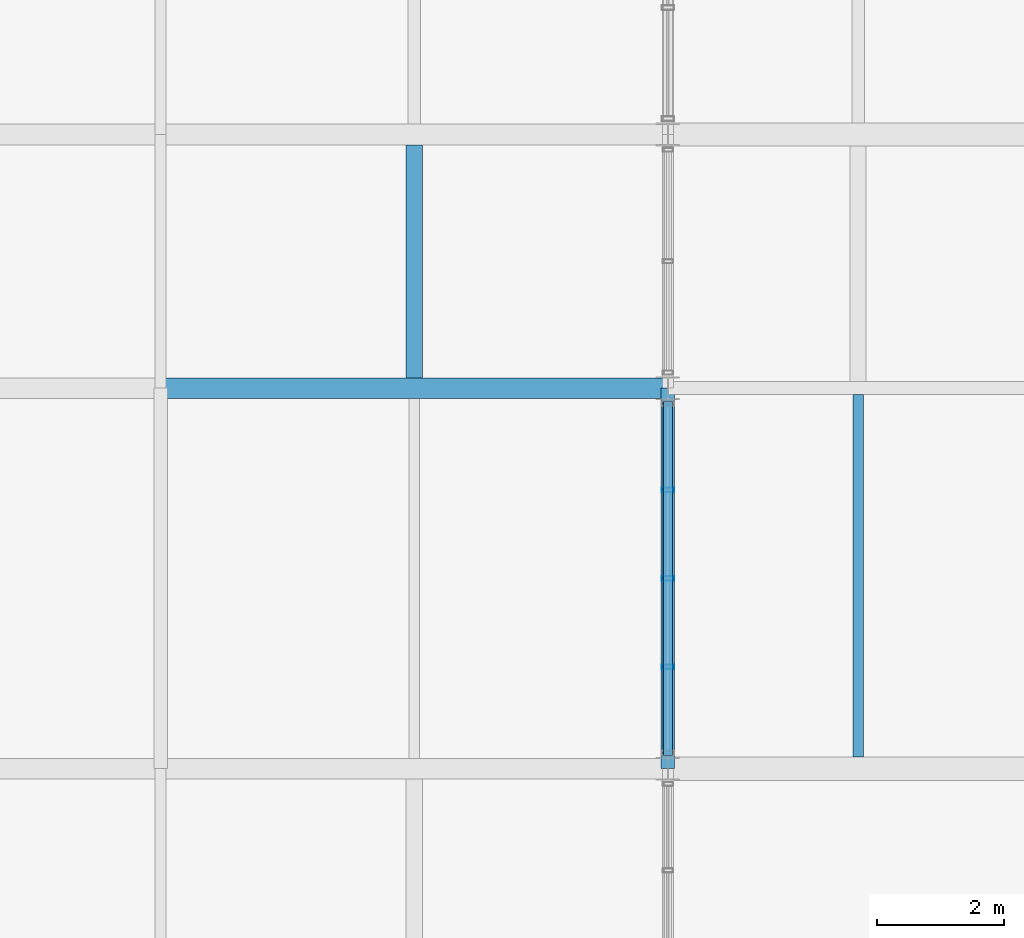
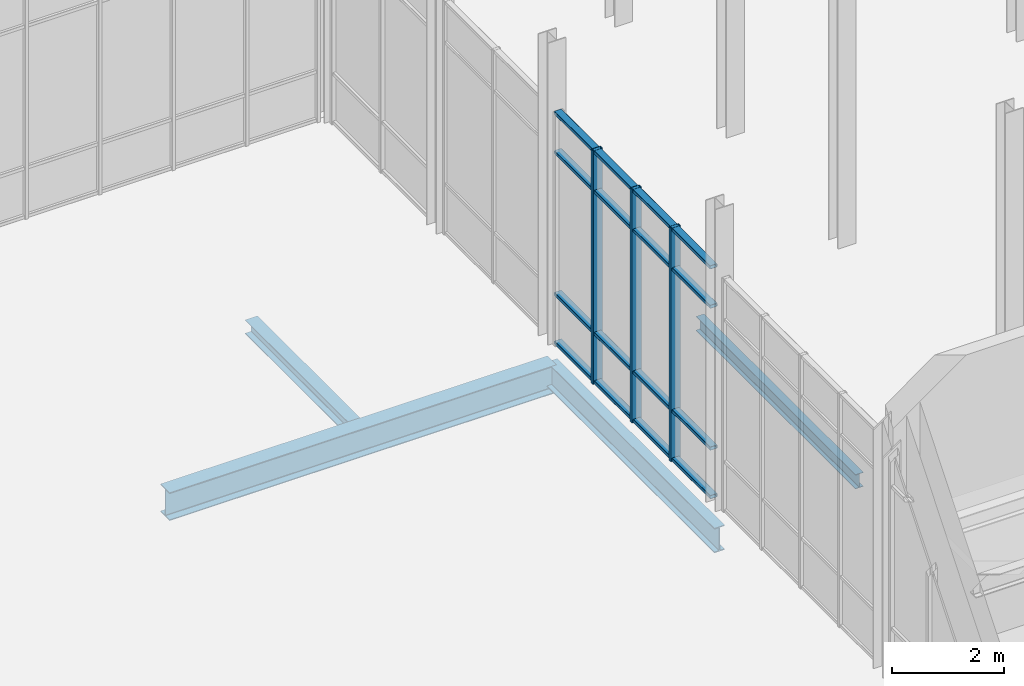
# One storey, part 83 of 140: 7 members, 4 beams, 1 element without a shape of its own.
"""IFC4 building model written with IfcOpenShell, lengths in metres."""

from ifc_helpers import new_model, si_unit, direction, frame, origin, origin_2d, place, context, subcontext, project, spatial, hollow_rectangle, i_section, extrude, material, material_profile, profile_set, type_object, element, aggregate, save


model = new_model("IFC4")

# Units and contexts
model_context = context("Model", 3, precision=1e-05, world=origin(), true_north=direction((0.0, 1.0)))
body_context = subcontext(model_context, "Body", "Model", "MODEL_VIEW")
ifc_project = project(units=[si_unit("LENGTHUNIT", "METRE"), si_unit("AREAUNIT", "SQUARE_METRE"), si_unit("VOLUMEUNIT", "CUBIC_METRE"), si_unit("PLANEANGLEUNIT", "RADIAN"), si_unit("MASSUNIT", "GRAM", prefix="KILO")], contexts=[model_context])

# Site, building, storey
site_placement = place(None, origin())
site = spatial("IfcSite", under=ifc_project, at=site_placement, CompositionType="ELEMENT")
building_placement = place(site_placement, origin())
building = spatial("IfcBuilding", under=site, at=building_placement, Name="Verrall Gate Interchange", CompositionType="ELEMENT")
storey_placement = place(building_placement, origin())
storey = spatial("IfcBuildingStorey", under=building, at=storey_placement, Name="L01", CompositionType="ELEMENT", Elevation=0.0)

# Beams
ifc_material_1 = material(Name="Structural Steel CSA G40.21 350WT Cat 4", Category="steel")
ifc_material_profile_1 = material_profile(ifc_material_1, i_section(OverallWidth=0.323974609375, OverallDepth=0.611083984375, WebThickness=0.0126953125, FlangeThickness=0.01904296875, FilletRadius=0.014892578125, at=origin_2d()), Name="W610x155")
ifc_profile_set_1 = profile_set([ifc_material_profile_1], Name="Structural Steel CSA G40.21 350WT Cat 4")
beam_type_1 = type_object("IfcBeamType", Name="B-08 Structural Beam W610x155", PredefinedType="BEAM", material=ifc_profile_set_1)
beam_1_placement = place(storey_placement, frame((124.0, 40.0, -0.805419921875), z_axis=(1.0, 0.0, 0.0), x_axis=(0.0, 1.0, 0.0)))
element("IfcBeam", 1, at=beam_1_placement, inside=storey, type_object=beam_type_1, Name="L01 Girder BM-L01-0883 (B-08)", PredefinedType="BEAM", context=body_context, shape_type="SweptSolid", body=[
    extrude(i_section(OverallWidth=0.323974609375, OverallDepth=0.611083984375, WebThickness=0.0126953125, FlangeThickness=0.01904296875, FilletRadius=0.014892578125, at=origin_2d()), origin(), (0.0, 0.0, 1.0), 8.0),
])
ifc_material_2 = material(Name="Structural Steel CSA G40.21 350W", Category="steel")
ifc_material_profile_2 = material_profile(ifc_material_2, i_section(OverallWidth=0.2109375, OverallDepth=0.5390625, WebThickness=0.01171875, FlangeThickness=0.018798828125, FilletRadius=0.013916015625, at=origin_2d()), Name="W530x109")
ifc_profile_set_2 = profile_set([ifc_material_profile_2], Name="Structural Steel CSA G40.21 350W")
beam_type_2 = type_object("IfcBeamType", Name="B-10 Structural Beam W530x109", PredefinedType="BEAM", material=ifc_profile_set_2)
beam_2_placement = place(storey_placement, frame((132.0, 34.0, -0.76953125), z_axis=(0.0, 1.0, 0.0), x_axis=(-1.0, 0.0, 0.0)))
element("IfcBeam", 2, at=beam_2_placement, inside=storey, type_object=beam_type_2, Name="L01 Girder BM-L01-1199 (B-10)", PredefinedType="BEAM", context=body_context, shape_type="SweptSolid", body=[
    extrude(i_section(OverallWidth=0.2109375, OverallDepth=0.5390625, WebThickness=0.01171875, FlangeThickness=0.018798828125, FilletRadius=0.013916015625, at=origin_2d()), origin(), (0.0, 0.0, 1.0), 6.0),
])

# Curtain wall, members
ifc_material_3 = material(Name="Thermally Broken Anodized Aluminium Curtain Wall Framing", Category="aluminium")
curtain_wall_type = type_object("IfcCurtainWallType", Name="CW-04 Unitized Curtain Wall 5631x5100", PredefinedType="NOTDEFINED", material=ifc_material_3)
curtain_wall_placement = place(storey_placement, origin())
curtain_wall = element("IfcCurtainWall", 3, at=curtain_wall_placement, inside=storey, type_object=curtain_wall_type, Name="L01 Unitized Curtain Wall CW-L01-047", PredefinedType="NOTDEFINED")
ifc_material_4 = material(Name="Thermally Broken Anodized Aluminium Curtain Wall Framing", Category="aluminium")
ifc_material_profile_3 = material_profile(ifc_material_4, hollow_rectangle(XDim=0.074951171875, YDim=0.199951171875, WallThickness=0.0048828125, InnerFilletRadius=0.0048828125, OuterFilletRadius=0.010009765625, at=origin_2d()), Name="CWM200x75x5")
ifc_profile_set_3 = profile_set([ifc_material_profile_3], Name="Thermally Broken Anodized Aluminium Curtain Wall Framing")
member_type_1 = type_object("IfcMemberType", Name="CM-02 Curtain Mullion CWM200x75x5", PredefinedType="MULLION", material=ifc_profile_set_3)
member_1_placement = place(storey_placement, frame((132.0, 38.39501953125, 0.0), z_axis=(0.0, 0.0, 1.0), x_axis=(0.0, -1.0, 0.0)))
member_1 = element("IfcMember", 4, at=member_1_placement, type_object=member_type_1, Name="CW-L01-047 Mullion 2", PredefinedType="MULLION", context=body_context, shape_type="SweptSolid", body=[
    extrude(hollow_rectangle(XDim=0.074951171875, YDim=0.199951171875, WallThickness=0.0048828125, InnerFilletRadius=0.0048828125, OuterFilletRadius=0.010009765625, at=origin_2d()), origin(), (0.0, 0.0, 1.0), 5.10009765625),
])
member_2_placement = place(storey_placement, frame((132.0, 37.0, 0.0), z_axis=(0.0, 0.0, 1.0), x_axis=(0.0, -1.0, 0.0)))
member_2 = element("IfcMember", 5, at=member_2_placement, type_object=member_type_1, Name="CW-L01-047 Mullion 3", PredefinedType="MULLION", context=body_context, shape_type="SweptSolid", body=[
    extrude(hollow_rectangle(XDim=0.074951171875, YDim=0.199951171875, WallThickness=0.0048828125, InnerFilletRadius=0.0048828125, OuterFilletRadius=0.010009765625, at=origin_2d()), origin(), (0.0, 0.0, 1.0), 5.10009765625),
])
member_3_placement = place(storey_placement, frame((132.0, 35.60498046875, 0.0), z_axis=(0.0, 0.0, 1.0), x_axis=(0.0, -1.0, 0.0)))
member_3 = element("IfcMember", 6, at=member_3_placement, type_object=member_type_1, Name="CW-L01-047 Mullion 4", PredefinedType="MULLION", context=body_context, shape_type="SweptSolid", body=[
    extrude(hollow_rectangle(XDim=0.074951171875, YDim=0.199951171875, WallThickness=0.0048828125, InnerFilletRadius=0.0048828125, OuterFilletRadius=0.010009765625, at=origin_2d()), origin(), (0.0, 0.0, 1.0), 5.10009765625),
])
ifc_material_5 = material(Name="Thermally Broken Anodized Aluminium Curtain Wall Framing", Category="aluminium")
ifc_material_profile_4 = material_profile(ifc_material_5, hollow_rectangle(XDim=0.14990234375, YDim=0.074951171875, WallThickness=0.00439453125, InnerFilletRadius=0.00439453125, OuterFilletRadius=0.009033203125, at=origin_2d()), Name="CWT150x75x4.5")
ifc_profile_set_4 = profile_set([ifc_material_profile_4], Name="Thermally Broken Anodized Aluminium Curtain Wall Framing")
member_type_2 = type_object("IfcMemberType", Name="CT-02 Curtain Transom CWT150x75x4.5", PredefinedType="USERDEFINED", material=ifc_profile_set_4)
member_4_placement = place(storey_placement, frame((132.0, 39.7900390625, 0.03759765625), z_axis=(0.0, -1.0, 0.0), x_axis=(1.0, 0.0, 0.0)))
member_4 = element("IfcMember", 7, at=member_4_placement, type_object=member_type_2, Name="CW-L01-047 Transom 1", ObjectType="TRANSOM", PredefinedType="USERDEFINED", context=body_context, shape_type="SweptSolid", body=[
    extrude(hollow_rectangle(XDim=0.14990234375, YDim=0.074951171875, WallThickness=0.00439453125, InnerFilletRadius=0.00439453125, OuterFilletRadius=0.009033203125, at=origin_2d()), origin(), (0.0, 0.0, 1.0), 5.580078125),
])
member_5_placement = place(storey_placement, frame((132.0, 39.7900390625, 1.10009765625), z_axis=(0.0, -1.0, 0.0), x_axis=(1.0, 0.0, 0.0)))
member_5 = element("IfcMember", 8, at=member_5_placement, type_object=member_type_2, Name="CW-L01-047 Transom 2", ObjectType="TRANSOM", PredefinedType="USERDEFINED", context=body_context, shape_type="SweptSolid", body=[
    extrude(hollow_rectangle(XDim=0.14990234375, YDim=0.074951171875, WallThickness=0.00439453125, InnerFilletRadius=0.00439453125, OuterFilletRadius=0.009033203125, at=origin_2d()), origin(), (0.0, 0.0, 1.0), 5.580078125),
])
member_6_placement = place(storey_placement, frame((132.0, 39.7900390625, 4.199951171875), z_axis=(0.0, -1.0, 0.0), x_axis=(1.0, 0.0, 0.0)))
member_6 = element("IfcMember", 9, at=member_6_placement, type_object=member_type_2, Name="CW-L01-047 Transom 3", ObjectType="TRANSOM", PredefinedType="USERDEFINED", context=body_context, shape_type="SweptSolid", body=[
    extrude(hollow_rectangle(XDim=0.14990234375, YDim=0.074951171875, WallThickness=0.00439453125, InnerFilletRadius=0.00439453125, OuterFilletRadius=0.009033203125, at=origin_2d()), origin(), (0.0, 0.0, 1.0), 5.580078125),
])
member_7_placement = place(storey_placement, frame((132.0, 39.7900390625, 5.0625), z_axis=(0.0, -1.0, 0.0), x_axis=(1.0, 0.0, 0.0)))
member_7 = element("IfcMember", 10, at=member_7_placement, type_object=member_type_2, Name="CW-L01-047 Transom 4", ObjectType="TRANSOM", PredefinedType="USERDEFINED", context=body_context, shape_type="SweptSolid", body=[
    extrude(hollow_rectangle(XDim=0.14990234375, YDim=0.074951171875, WallThickness=0.00439453125, InnerFilletRadius=0.00439453125, OuterFilletRadius=0.009033203125, at=origin_2d()), origin(), (0.0, 0.0, 1.0), 5.580078125),
])
aggregate(curtain_wall, [member_1, member_2, member_3, member_4, member_5, member_6, member_7])

# Beams
ifc_material_6 = material(Name="Structural Steel CSA G40.21 350W", Category="steel")
ifc_material_profile_5 = material_profile(ifc_material_6, i_section(OverallWidth=0.25390625, OverallDepth=0.305908203125, WebThickness=0.0087890625, FlangeThickness=0.0146484375, FilletRadius=0.012939453125, at=origin_2d()), Name="W310x79")
ifc_profile_set_5 = profile_set([ifc_material_profile_5], Name="Structural Steel CSA G40.21 350W")
beam_type_3 = type_object("IfcBeamType", Name="J-03 Floor Joist W310x79", PredefinedType="JOIST", material=ifc_profile_set_5)
beam_3_placement = place(storey_placement, frame((128.0, 40.162109375, -0.653076171875), z_axis=(0.0, 1.0, 0.0), x_axis=(-1.0, 0.0, 0.0)))
element("IfcBeam", 11, at=beam_3_placement, inside=storey, type_object=beam_type_3, Name="L01 Secondary Floor Joist JST-L01-1374", PredefinedType="JOIST", context=body_context, shape_type="SweptSolid", body=[
    extrude(i_section(OverallWidth=0.25390625, OverallDepth=0.305908203125, WebThickness=0.0087890625, FlangeThickness=0.0146484375, FilletRadius=0.012939453125, at=origin_2d()), origin(), (0.0, 0.0, 1.0), 3.67578125),
])
ifc_material_7 = material(Name="Structural Steel CSA G40.21 350W", Category="steel")
ifc_material_profile_6 = material_profile(ifc_material_7, i_section(OverallWidth=0.1650390625, OverallDepth=0.31005859375, WebThickness=0.005859375, FlangeThickness=0.009765625, FilletRadius=0.010009765625, at=origin_2d()), Name="W310x39")
ifc_profile_set_6 = profile_set([ifc_material_profile_6], Name="Structural Steel CSA G40.21 350W")
beam_type_4 = type_object("IfcBeamType", Name="J-04 Floor Joist W310x39", PredefinedType="JOIST", material=ifc_profile_set_6)
beam_4_placement = place(storey_placement, frame((135.0, 34.1845703125, -0.655029296875), z_axis=(0.0, 1.0, 0.0), x_axis=(-1.0, 0.0, 0.0)))
element("IfcBeam", 12, at=beam_4_placement, inside=storey, type_object=beam_type_4, Name="L01 Secondary Floor Joist JST-L01-1358", PredefinedType="JOIST", context=body_context, shape_type="SweptSolid", body=[
    extrude(i_section(OverallWidth=0.1650390625, OverallDepth=0.31005859375, WebThickness=0.005859375, FlangeThickness=0.009765625, FilletRadius=0.010009765625, at=origin_2d()), origin(), (0.0, 0.0, 1.0), 5.712890625),
])

save(model, "model.ifc")
